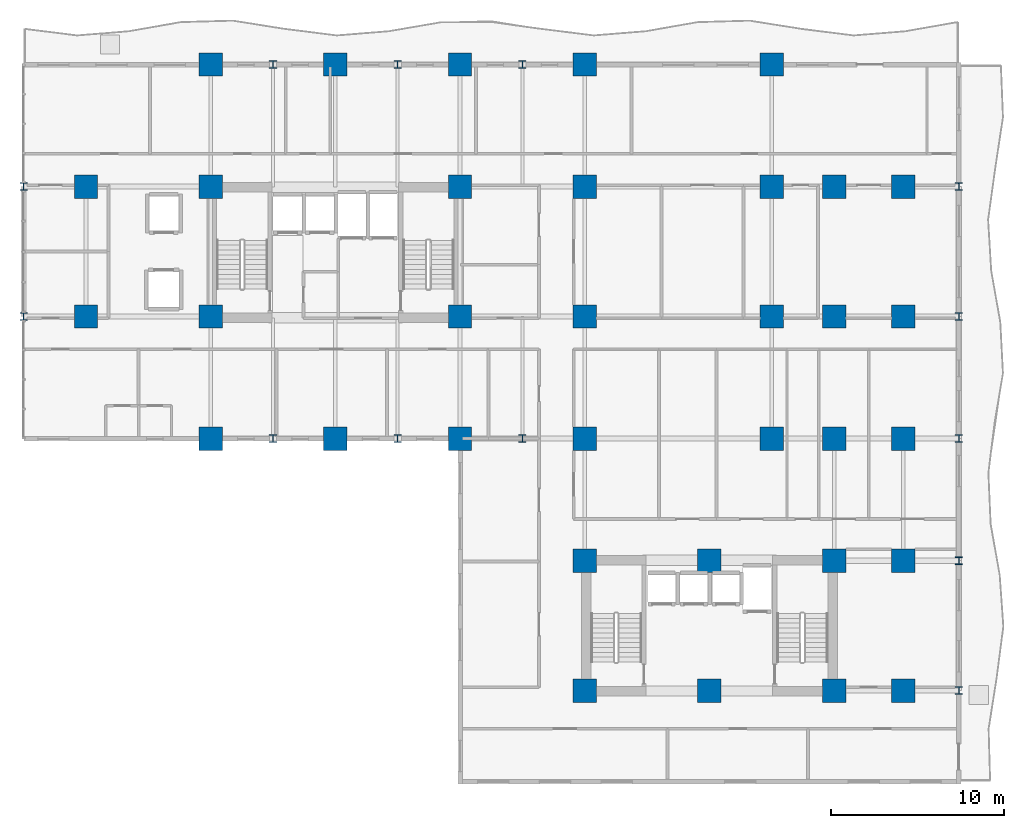
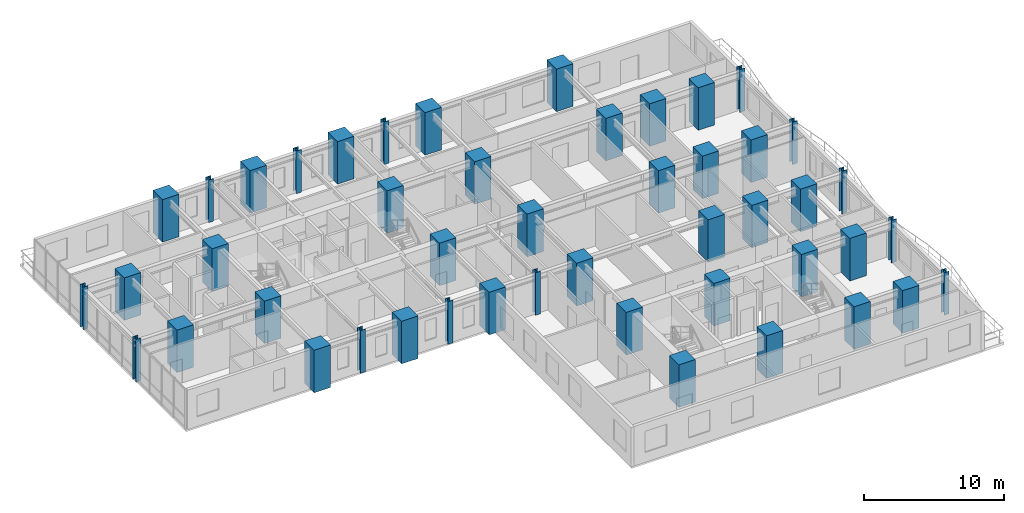
# One storey, part 1 of 19: 47 columns.
"""IFC4 building model written with IfcOpenShell, lengths in metres."""

from ifc_helpers import new_model, si_unit, direction, frame, origin, origin_2d, place, context, subcontext, project, spatial, rectangle, i_section, extrude, source, transform, mapped, material, material_profile, profile_set, type_object, element, save


model = new_model("IFC4")

# Units and contexts
model_context = context("Model", 3, precision=1e-05, world=origin(), true_north=direction((0.0, 1.0)))
body_context = subcontext(model_context, "Body", "Model", "MODEL_VIEW")
ifc_project = project(units=[si_unit("LENGTHUNIT", "METRE"), si_unit("AREAUNIT", "SQUARE_METRE"), si_unit("VOLUMEUNIT", "CUBIC_METRE"), si_unit("PLANEANGLEUNIT", "RADIAN"), si_unit("MASSUNIT", "GRAM", prefix="KILO")], contexts=[model_context])

# Site, building, storey
site_placement = place(None, origin())
site = spatial("IfcSite", under=ifc_project, at=site_placement, CompositionType="ELEMENT")
building_placement = place(site_placement, origin())
building = spatial("IfcBuilding", under=site, at=building_placement, Name="Kaliganga Portal Commons", CompositionType="ELEMENT")
storey_placement = place(building_placement, frame((0.0, 0.0, 32.699951171875)))
storey = spatial("IfcBuildingStorey", under=building, at=storey_placement, Name="L07", CompositionType="ELEMENT", Elevation=32.699951171875)

# Columns
ifc_material_1 = material(Name="Concrete C70/85", Category="concrete")
ifc_material_profile_1 = material_profile(ifc_material_1, rectangle(XDim=1.35009765625, YDim=1.35009765625, at=origin_2d()), Name="RC 1350x1350")
ifc_profile_set_1 = profile_set([ifc_material_profile_1], Name="Concrete C70/85")
column_type_1 = type_object("IfcColumnType", Name="COL-MEGA-Z1", PredefinedType="COLUMN", material=ifc_profile_set_1)
shared_shape_1 = source(origin(), body_context, "Body", "SweptSolid", [
    extrude(rectangle(XDim=1.35009765625, YDim=1.35009765625, at=origin_2d()), origin(), (0.0, 0.0, 1.0), 3.699951171875),
])
for number, where, z_axis, x_axis, name in (
    (1, (7.199951171875, 28.64990234375, 0.0), (0.0, 0.0, 1.0), (1.0, 0.0, 0.0), "Column MC-02 L07"),
    (2, (7.199951171875, 36.14990234375, 0.0), (0.0, 0.0, 1.0), (1.0, 0.0, 0.0), "Column MC-02 L07"),
    (3, (14.39990234375, 21.60009765625, 0.0), (0.0, 0.0, 1.0), (1.0, 0.0, 0.0), "Column MC-02 L07"),
    (4, (14.39990234375, 28.64990234375, 0.0), (0.0, 0.0, 1.0), (1.0, 0.0, 0.0), "Column MC-02 L07"),
    (5, (14.39990234375, 36.14990234375, 0.0), (0.0, 0.0, 1.0), (1.0, 0.0, 0.0), "Column MC-02 L07"),
    (6, (14.39990234375, 43.199951171875, 0.0), (0.0, 0.0, 1.0), (1.0, 0.0, 0.0), "Column MC-02 L07"),
    (7, (21.60009765625, 21.60009765625, 0.0), (0.0, 0.0, 1.0), (1.0, 0.0, 0.0), "Column MC-02 L07"),
    (8, (21.60009765625, 43.199951171875, 0.0), (0.0, 0.0, 1.0), (1.0, 0.0, 0.0), "Column MC-02 L07"),
    (9, (28.800048828125, 21.60009765625, 0.0), (0.0, 0.0, 1.0), (1.0, 0.0, 0.0), "Column MC-02 L07"),
    (10, (28.800048828125, 28.64990234375, 0.0), (0.0, 0.0, 1.0), (1.0, 0.0, 0.0), "Column MC-02 L07"),
    (11, (28.800048828125, 36.14990234375, 0.0), (0.0, 0.0, 1.0), (1.0, 0.0, 0.0), "Column MC-02 L07"),
    (12, (28.800048828125, 43.199951171875, 0.0), (0.0, 0.0, 1.0), (1.0, 0.0, 0.0), "Column MC-02 L07"),
    (13, (36.0, 21.60009765625, 0.0), (0.0, 0.0, 1.0), (1.0, 0.0, 0.0), "Column MC-02 L07"),
    (14, (36.0, 43.199951171875, 0.0), (0.0, 0.0, 1.0), (1.0, 0.0, 0.0), "Column MC-02 L07"),
    (15, (36.0, 28.64990234375, 0.0), (0.0, 0.0, 1.0), (1.0, 0.0, 0.0), "Column MC-02 L07"),
    (16, (36.0, 36.14990234375, 0.0), (0.0, 0.0, 1.0), (1.0, 0.0, 0.0), "Column MC-02 L07"),
    (17, (46.800048828125, 21.60009765625, 0.0), (0.0, 0.0, 1.0), (1.0, 0.0, 0.0), "Column MC-02 L07"),
    (18, (46.800048828125, 28.64990234375, 0.0), (0.0, 0.0, 1.0), (1.0, 0.0, 0.0), "Column MC-02 L07"),
    (19, (46.800048828125, 36.14990234375, 0.0), (0.0, 0.0, 1.0), (1.0, 0.0, 0.0), "Column MC-02 L07"),
    (20, (46.800048828125, 43.199951171875, 0.0), (0.0, 0.0, 1.0), (1.0, 0.0, 0.0), "Column MC-02 L07"),
    (21, (36.0, 7.050048828125, 0.0), (0.0, 0.0, 1.0), (1.0, 0.0, 0.0), "Column MC-02 L07"),
    (22, (36.0, 14.550048828125, 0.0), (0.0, 0.0, 1.0), (1.0, 0.0, 0.0), "Column MC-02 L07"),
    (23, (43.199951171875, 7.050048828125, 0.0), (0.0, 0.0, 1.0), (1.0, 0.0, 0.0), "Column MC-02 L07"),
    (24, (43.199951171875, 14.550048828125, 0.0), (0.0, 0.0, 1.0), (1.0, 0.0, 0.0), "Column MC-02 L07"),
    (25, (50.39990234375, 7.050048828125, 0.0), (0.0, 0.0, 1.0), (1.0, 0.0, 0.0), "Column MC-02 L07"),
    (26, (50.39990234375, 14.550048828125, 0.0), (0.0, 0.0, 1.0), (1.0, 0.0, 0.0), "Column MC-02 L07"),
    (27, (50.39990234375, 21.60009765625, 0.0), (0.0, 0.0, 1.0), (1.0, 0.0, 0.0), "Column MC-02 L07"),
    (28, (50.39990234375, 28.64990234375, 0.0), (0.0, 0.0, 1.0), (1.0, 0.0, 0.0), "Column MC-02 L07"),
    (29, (50.39990234375, 36.14990234375, 0.0), (0.0, 0.0, 1.0), (1.0, 0.0, 0.0), "Column MC-02 L07"),
    (30, (54.39990234375, 7.050048828125, 0.0), (0.0, 0.0, 1.0), (1.0, 0.0, 0.0), "Column MC-02 L07"),
    (31, (54.39990234375, 14.550048828125, 0.0), (0.0, 0.0, 1.0), (1.0, 0.0, 0.0), "Column MC-02 L07"),
    (32, (54.39990234375, 21.60009765625, 0.0), (0.0, 0.0, 1.0), (1.0, 0.0, 0.0), "Column MC-02 L07"),
    (33, (54.39990234375, 28.64990234375, 0.0), (0.0, 0.0, 1.0), (1.0, 0.0, 0.0), "Column MC-02 L07"),
    (34, (54.39990234375, 36.14990234375, 0.0), (0.0, 0.0, 1.0), (1.0, 0.0, 0.0), "Column MC-02 L07"),
):
    element("IfcColumn", number, at=place(storey_placement, frame(where, z_axis=z_axis, x_axis=x_axis)), inside=storey, type_object=column_type_1, Name=name, PredefinedType="COLUMN", context=body_context, shape_type="MappedRepresentation", body=[
        mapped(shared_shape_1, transform((0.0, 0.0, 0.0), x_axis=(1.0, 0.0, 0.0), y_axis=(0.0, 1.0, 0.0), z_axis=(0.0, 0.0, 1.0), scale=1.0)),
    ])
ifc_material_2 = material(Name="Structural steel S460M", Category="steel")
ifc_material_profile_2 = material_profile(ifc_material_2, i_section(OverallWidth=0.416015625, OverallDepth=0.446044921875, WebThickness=0.029052734375, FlangeThickness=0.0400390625, FilletRadius=0.014892578125, at=origin_2d()), Name="HD 400x509")
ifc_profile_set_2 = profile_set([ifc_material_profile_2], Name="Structural steel S460M wide-flange")
column_type_2 = type_object("IfcColumnType", Name="COL-TUBE-B1", PredefinedType="COLUMN", material=ifc_profile_set_2)
shared_shape_2 = source(origin(), body_context, "Body", "SweptSolid", [
    extrude(i_section(OverallWidth=0.416015625, OverallDepth=0.446044921875, WebThickness=0.029052734375, FlangeThickness=0.0400390625, FilletRadius=0.014892578125, at=origin_2d()), origin(), (0.0, 0.0, 1.0), 3.699951171875),
])
for number, where, z_axis, x_axis, name in (
    (35, (3.60009765625, 28.64990234375, 0.0), (0.0, 0.0, 1.0), (1.0, 0.0, 0.0), "Column TC-01 L07"),
    (36, (3.60009765625, 36.14990234375, 0.0), (0.0, 0.0, 1.0), (1.0, 0.0, 0.0), "Column TC-01 L07"),
    (37, (18.0, 21.60009765625, 0.0), (0.0, 0.0, 1.0), (1.0, 0.0, 0.0), "Column TC-01 L07"),
    (38, (18.0, 43.199951171875, 0.0), (0.0, 0.0, 1.0), (1.0, 0.0, 0.0), "Column TC-01 L07"),
    (39, (25.199951171875, 21.60009765625, 0.0), (0.0, 0.0, 1.0), (1.0, 0.0, 0.0), "Column TC-01 L07"),
    (40, (25.199951171875, 43.199951171875, 0.0), (0.0, 0.0, 1.0), (1.0, 0.0, 0.0), "Column TC-01 L07"),
    (41, (32.39990234375, 21.60009765625, 0.0), (0.0, 0.0, 1.0), (1.0, 0.0, 0.0), "Column TC-01 L07"),
    (42, (32.39990234375, 43.199951171875, 0.0), (0.0, 0.0, 1.0), (1.0, 0.0, 0.0), "Column TC-01 L07"),
    (43, (57.60009765625, 7.050048828125, 0.0), (0.0, 0.0, 1.0), (1.0, 0.0, 0.0), "Column TC-01 L07"),
    (44, (57.60009765625, 14.550048828125, 0.0), (0.0, 0.0, 1.0), (1.0, 0.0, 0.0), "Column TC-01 L07"),
    (45, (57.60009765625, 21.60009765625, 0.0), (0.0, 0.0, 1.0), (1.0, 0.0, 0.0), "Column TC-01 L07"),
    (46, (57.60009765625, 28.64990234375, 0.0), (0.0, 0.0, 1.0), (1.0, 0.0, 0.0), "Column TC-01 L07"),
    (47, (57.60009765625, 36.14990234375, 0.0), (0.0, 0.0, 1.0), (1.0, 0.0, 0.0), "Column TC-01 L07"),
):
    element("IfcColumn", number, at=place(storey_placement, frame(where, z_axis=z_axis, x_axis=x_axis)), inside=storey, type_object=column_type_2, Name=name, PredefinedType="COLUMN", context=body_context, shape_type="MappedRepresentation", body=[
        mapped(shared_shape_2, transform((0.0, 0.0, 0.0), x_axis=(1.0, 0.0, 0.0), y_axis=(0.0, 1.0, 0.0), z_axis=(0.0, 0.0, 1.0), scale=1.0)),
    ])

save(model, "model.ifc")
